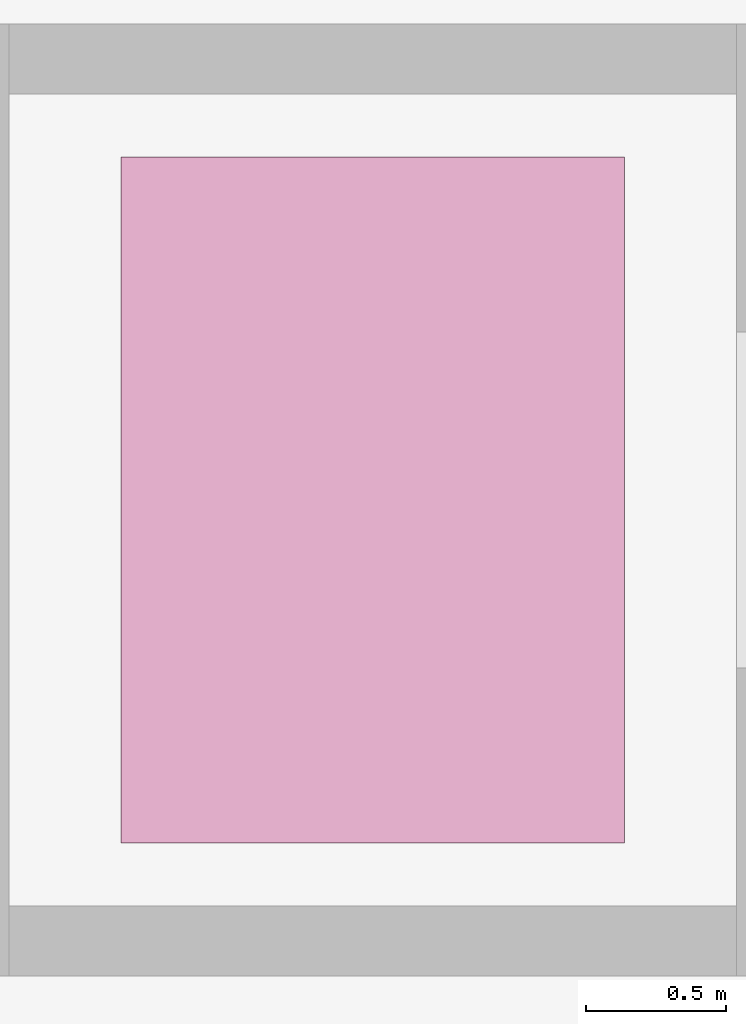
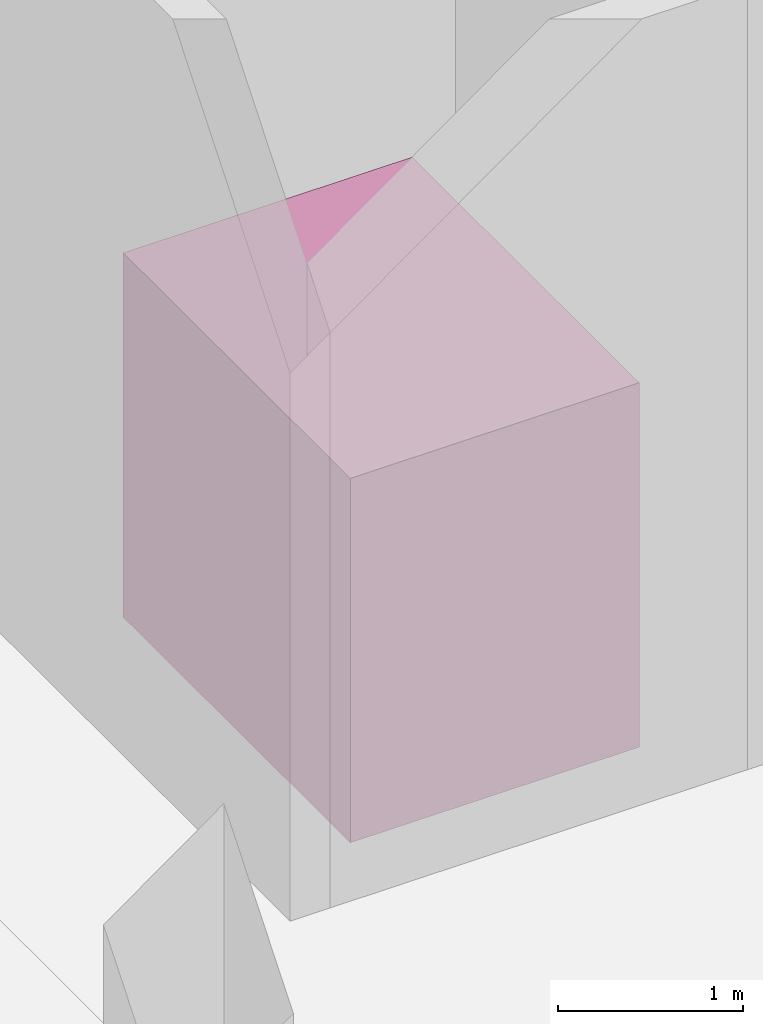
# One storey, part 19 of 19: 1 transport element.
"""IFC4 building model written with IfcOpenShell, lengths in metres."""

from ifc_helpers import new_model, si_unit, direction, frame, origin, origin_2d, place, context, subcontext, project, spatial, rectangle, extrude, material, type_object, element, save


model = new_model("IFC4")

# Units and contexts
model_context = context("Model", 3, precision=1e-05, world=origin(), true_north=direction((0.0, 1.0)))
body_context = subcontext(model_context, "Body", "Model", "MODEL_VIEW")
ifc_project = project(units=[si_unit("LENGTHUNIT", "METRE"), si_unit("AREAUNIT", "SQUARE_METRE"), si_unit("VOLUMEUNIT", "CUBIC_METRE"), si_unit("PLANEANGLEUNIT", "RADIAN"), si_unit("MASSUNIT", "GRAM", prefix="KILO")], contexts=[model_context])

# Site, building, storey
site_placement = place(None, origin())
site = spatial("IfcSite", under=ifc_project, at=site_placement, CompositionType="ELEMENT")
building_placement = place(site_placement, origin())
building = spatial("IfcBuilding", under=site, at=building_placement, Name="Drelvath Fold Interchange", CompositionType="ELEMENT")
storey_placement = place(building_placement, frame((0.0, 0.0, -5.60009765625)))
storey = spatial("IfcBuildingStorey", under=building, at=storey_placement, Name="B1", CompositionType="ELEMENT", Elevation=-5.60009765625)

# Transport element
ifc_material = material(Name="Stainless Steel 316L", Category="steel")
transport_element_type = type_object("IfcTransportElementType", Name="EL-PAX1800", PredefinedType="ELEVATOR", material=ifc_material)
transport_element_placement = place(storey_placement, frame((54.89990234375, 46.050048828125, 0.000244140625), z_axis=(0.0, 0.0, 1.0), x_axis=(1.0, 0.0, 0.0)))
element("IfcTransportElement", 1, at=transport_element_placement, inside=storey, type_object=transport_element_type, Name="Waiting Hall Panorama Lift LF-07", PredefinedType="ELEVATOR", context=body_context, shape_type="SweptSolid", body=[
    extrude(rectangle(XDim=1.800048828125, YDim=2.449951171875, at=origin_2d()), origin(), (0.0, 0.0, 1.0), 2.39990234375),
])

save(model, "model.ifc")
